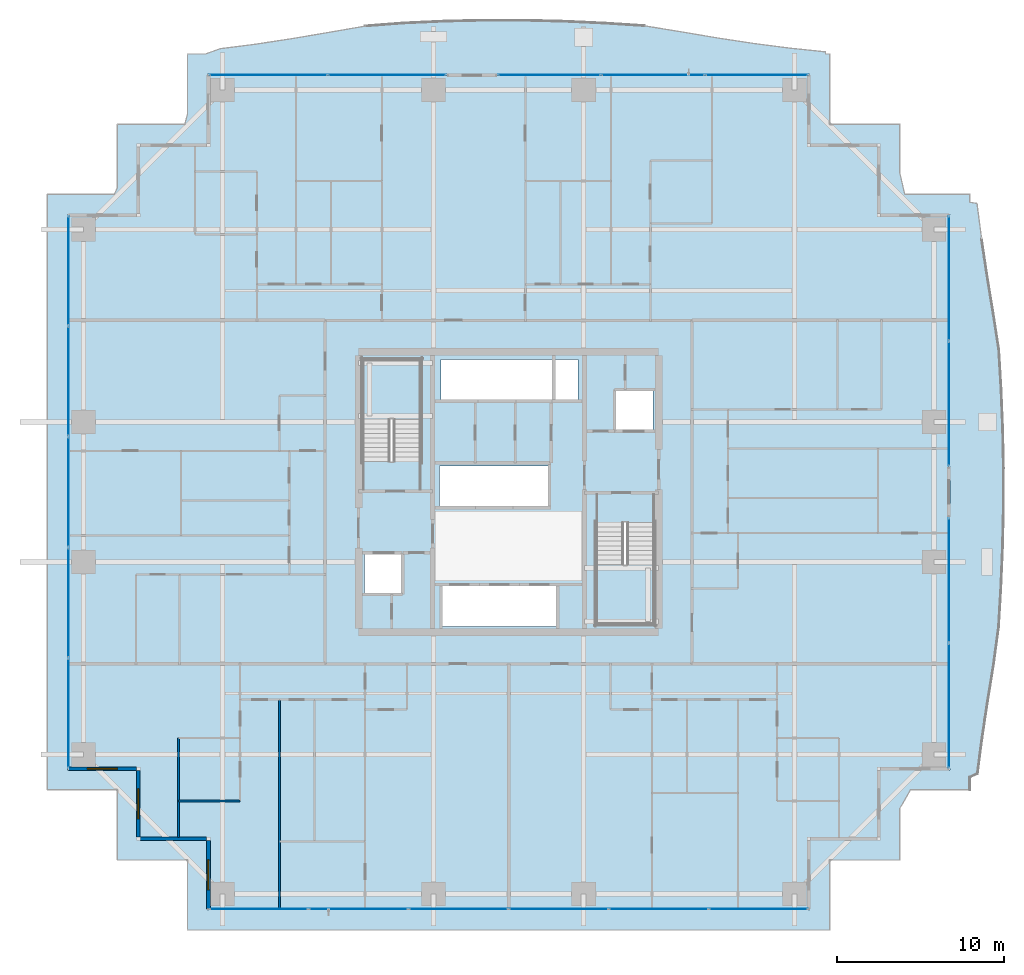
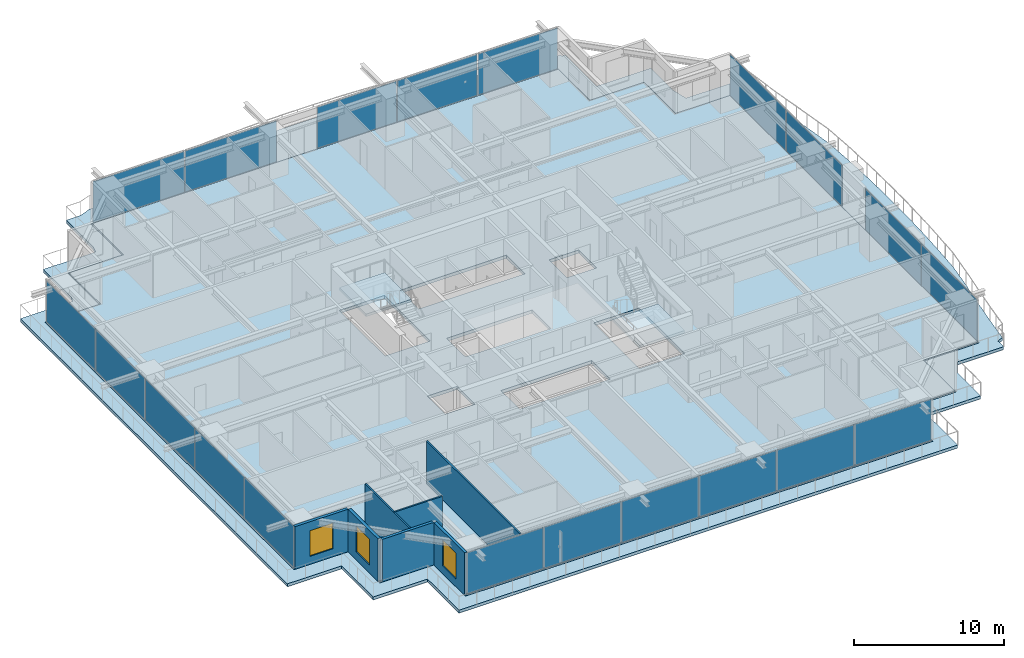
# One storey, part 26 of 39: 20 plates, 7 walls, 4 slabs, 3 windows, 3 openings, 8 elements without a shape of their own.
"""IFC4 building model written with IfcOpenShell, lengths in metres."""

from ifc_helpers import new_model, si_unit, direction, frame, frame_2d, origin, origin_2d, place, context, subcontext, project, spatial, polyline, rectangle, outline, extrude, source, transform, mapped, material, layer, layer_set, type_object, element, fill, aggregate, save


model = new_model("IFC4")

# Units and contexts
model_context = context("Model", 3, precision=1e-05, world=origin(), true_north=direction((0.0, 1.0)))
body_context = subcontext(model_context, "Body", "Model", "MODEL_VIEW")
ifc_project = project(units=[si_unit("LENGTHUNIT", "METRE"), si_unit("AREAUNIT", "SQUARE_METRE"), si_unit("VOLUMEUNIT", "CUBIC_METRE"), si_unit("PLANEANGLEUNIT", "RADIAN"), si_unit("MASSUNIT", "GRAM", prefix="KILO")], contexts=[model_context])

# Site, building, storey
site_placement = place(None, origin())
site = spatial("IfcSite", under=ifc_project, at=site_placement, CompositionType="ELEMENT")
building_placement = place(site_placement, origin())
building = spatial("IfcBuilding", under=site, at=building_placement, Name="Serunith Strait Residences", CompositionType="ELEMENT")
storey_placement = place(building_placement, frame((0.0, 0.0, 97.949951171875)))
storey = spatial("IfcBuildingStorey", under=building, at=storey_placement, Name="L24", CompositionType="ELEMENT", Elevation=97.949951171875)

# Slab
ifc_material_1 = material(Name="Concrete C50/60", Category="concrete")
ifc_layer_1 = layer(ifc_material_1, 0.239990234375, Name="Concrete C50/60")
ifc_layer_set_1 = layer_set([ifc_layer_1], Name="Concrete C50/60")
slab_type_1 = type_object("IfcSlabType", Name="SLB-BALC-240", PredefinedType="FLOOR", material=ifc_layer_set_1)
slab_1_placement = place(storey_placement, frame((0.0, 0.0, -0.2900390625)))
element("IfcSlab", 1, at=slab_1_placement, inside=storey, type_object=slab_type_1, Name="L24 Planted Vertical-Forest Balcony Slab", PredefinedType="FLOOR", context=body_context, shape_type="SweptSolid", body=[
    extrude(outline(polyline([(12.982666015625, 47.260009765625), (13.139892578125, 47.855712890625), (13.139892578125, 51.4599609375), (14.205810546875, 51.4599609375), (15.103515625, 51.78271484375), (17.227783203125, 52.0537109375), (19.371826171875, 52.37939453125), (21.554443359375, 52.75), (23.794677734375, 53.139404296875), (26.148681640625, 53.317138671875), (28.54248046875, 53.42578125), (30.957763671875, 53.480712890625), (33.38037109375, 53.47705078125), (35.79541015625, 53.41650390625), (38.189697265625, 53.305419921875), (40.55322265625, 53.154052734375), (42.808837890625, 52.784912109375), (45.000732421875, 52.415283203125), (47.15234375, 52.087646484375), (49.28173828125, 51.8134765625), (51.40283203125, 51.593017578125), (51.402099609375, 51.4599609375), (51.659912109375, 51.4599609375), (51.659912109375, 47.260009765625), (55.860107421875, 47.260009765625), (55.860107421875, 44.317626953125), (56.150390625, 43.06005859375), (60.06005859375, 43.06005859375), (60.06005859375, 42.573486328125), (60.485107421875, 42.5048828125), (60.76171875, 40.37451171875), (61.085693359375, 38.220703125), (61.444580078125, 36.027587890625), (61.7958984375, 33.773681640625), (61.93505859375, 31.41845703125), (62.03271484375, 29.034912109375), (62.081298828125, 26.633544921875), (62.077880859375, 24.2255859375), (62.02294921875, 21.824462890625), (61.922119140625, 19.44091796875), (61.783935546875, 17.084228515625), (61.47509765625, 14.810791015625), (61.117919921875, 12.60888671875), (60.793212890625, 10.44775390625), (60.5146484375, 8.311767578125), (60.06005859375, 8.1025390625), (60.06005859375, 7.340087890625), (56.489990234375, 7.340087890625), (55.860107421875, 6.23388671875), (55.860107421875, 3.139892578125), (51.659912109375, 3.139892578125), (51.659912109375, -1.06005859375), (13.139892578125, -1.06005859375), (13.139892578125, 3.139892578125), (8.93994140625, 3.139892578125), (8.93994140625, 7.340087890625), (4.739990234375, 7.340087890625), (4.739990234375, 43.06005859375), (8.7587890625, 43.06005859375), (8.93994140625, 43.457763671875), (8.93994140625, 47.260009765625), (12.982666015625, 47.260009765625)]), holes=[polyline([(50.455078125, 0.14501953125), (50.455078125, 4.344970703125), (54.655029296875, 4.344970703125), (54.655029296875, 8.544921875), (58.85498046875, 8.544921875), (58.85498046875, 41.85498046875), (54.655029296875, 41.85498046875), (54.655029296875, 46.054931640625), (50.455078125, 46.054931640625), (50.455078125, 50.2548828125), (14.344970703125, 50.2548828125), (14.344970703125, 46.054931640625), (10.14501953125, 46.054931640625), (10.14501953125, 41.85498046875), (5.945068359375, 41.85498046875), (5.945068359375, 8.544921875), (10.14501953125, 8.544921875), (10.14501953125, 4.344970703125), (14.344970703125, 4.344970703125), (14.344970703125, 0.14501953125), (50.455078125, 0.14501953125)])]), origin(), (0.0, 0.0, 1.0), 0.239990234375),
])

# Stair, slab
stair_type_1 = type_object("IfcStairType", Name="STR-CORE-1", PredefinedType="HALF_TURN_STAIR", material=ifc_material_1)
stair_1_placement = place(storey_placement, origin())
stair_1 = element("IfcStair", 2, at=stair_1_placement, inside=storey, type_object=stair_type_1, Name="L24 Protected Escape Stair ST-1", PredefinedType="HALF_TURN_STAIR")
ifc_layer_2 = layer(ifc_material_1, 0.199951171875, Name="Concrete C50/60")
ifc_layer_set_2 = layer_set([ifc_layer_2], Name="Concrete C50/60")
slab_type_2 = type_object("IfcSlabType", Name="SLB-LAND-200", PredefinedType="LANDING", material=ifc_layer_set_2)
slab_2_placement = place(storey_placement, frame((0.0, 0.0, 1.675048828125)))
slab_2 = element("IfcSlab", 3, at=slab_2_placement, type_object=slab_type_2, Name="ST-1 landing 1", PredefinedType="LANDING", context=body_context, shape_type="SweptSolid", body=[
    extrude(outline(polyline([(27.14990234375, 29.550048828125), (27.14990234375, 33.14990234375), (23.64990234375, 33.14990234375), (23.64990234375, 29.550048828125), (27.14990234375, 29.550048828125)])), origin(), (0.0, 0.0, 1.0), 0.199951171875),
])
aggregate(stair_1, [slab_2])

stair_type_2 = type_object("IfcStairType", Name="STR-CORE-2", PredefinedType="HALF_TURN_STAIR", material=ifc_material_1)
stair_2_placement = place(storey_placement, origin())
stair_2 = element("IfcStair", 4, at=stair_2_placement, inside=storey, type_object=stair_type_2, Name="L24 Protected Escape Stair ST-2", PredefinedType="HALF_TURN_STAIR")
slab_3_placement = place(storey_placement, frame((0.0, 0.0, 1.675048828125)))
slab_3 = element("IfcSlab", 5, at=slab_3_placement, type_object=slab_type_2, Name="ST-2 landing 1", PredefinedType="LANDING", context=body_context, shape_type="SweptSolid", body=[
    extrude(outline(polyline([(37.64990234375, 20.85009765625), (37.64990234375, 17.25), (41.14990234375, 17.25), (41.14990234375, 20.85009765625), (37.64990234375, 20.85009765625)])), origin(), (0.0, 0.0, 1.0), 0.199951171875),
])
aggregate(stair_2, [slab_3])

# Slab
ifc_material_2 = material(Name="Concrete C60/75", Category="concrete")
ifc_layer_3 = layer(ifc_material_2, 0.260009765625, Name="Concrete C60/75")
ifc_layer_set_3 = layer_set([ifc_layer_3], Name="Concrete C60/75")
slab_type_3 = type_object("IfcSlabType", Name="SLB-TWR-260-Z1", PredefinedType="FLOOR", material=ifc_layer_set_3)
slab_4_placement = place(storey_placement, frame((0.0, 0.0, -0.260009765625)))
element("IfcSlab", 6, at=slab_4_placement, inside=storey, type_object=slab_type_3, Name="L24 Structural Floor Plate", PredefinedType="FLOOR", context=body_context, shape_type="SweptSolid", body=[
    extrude(outline(polyline([(14.39990234375, 4.39990234375), (10.199951171875, 4.39990234375), (10.199951171875, 8.60009765625), (6.0, 8.60009765625), (6.0, 41.800048828125), (10.199951171875, 41.800048828125), (10.199951171875, 46.0), (14.39990234375, 46.0), (14.39990234375, 50.199951171875), (50.39990234375, 50.199951171875), (50.39990234375, 46.0), (54.60009765625, 46.0), (54.60009765625, 41.800048828125), (58.800048828125, 41.800048828125), (58.800048828125, 8.60009765625), (54.60009765625, 8.60009765625), (54.60009765625, 4.39990234375), (50.39990234375, 4.39990234375), (50.39990234375, 0.199951171875), (14.39990234375, 0.199951171875), (14.39990234375, 4.39990234375)]), holes=[polyline([(41.14990234375, 17.25), (41.14990234375, 23.3701171875), (37.64990234375, 23.3701171875), (37.64990234375, 17.25), (41.14990234375, 17.25)]), polyline([(41.050048828125, 31.25), (38.75, 31.25), (38.75, 28.85009765625), (41.050048828125, 28.85009765625), (41.050048828125, 31.25)]), polyline([(36.550048828125, 33.14990234375), (28.35009765625, 33.14990234375), (28.35009765625, 30.64990234375), (36.550048828125, 30.64990234375), (36.550048828125, 33.14990234375)]), polyline([(28.35009765625, 19.64990234375), (28.35009765625, 17.14990234375), (35.35009765625, 17.14990234375), (35.35009765625, 19.64990234375), (28.35009765625, 19.64990234375)]), polyline([(34.85009765625, 26.75), (28.25, 26.75), (28.25, 24.25), (34.85009765625, 24.25), (34.85009765625, 26.75)]), polyline([(23.64990234375, 33.14990234375), (23.64990234375, 27.030029296875), (27.14990234375, 27.030029296875), (27.14990234375, 33.14990234375), (23.64990234375, 33.14990234375)]), polyline([(26.050048828125, 21.550048828125), (23.75, 21.550048828125), (23.75, 19.14990234375), (26.050048828125, 19.14990234375), (26.050048828125, 21.550048828125)])]), origin(), (0.0, 0.0, 1.0), 0.260009765625),
])

# Curtain wall, plates
ifc_material_3 = material(Name="Pale-Champagne Anodised Aluminium", Category="aluminium")
ifc_layer_4 = layer(ifc_material_3, 0.199951171875, Name="Pale-Champagne Anodised Aluminium")
ifc_layer_set_4 = layer_set([ifc_layer_4], Name="Pale-Champagne Anodised Aluminium")
curtain_wall_type = type_object("IfcCurtainWallType", Name="CW-SYS1", PredefinedType="NOTDEFINED", material=ifc_layer_set_4)
curtain_wall_1_placement = place(storey_placement, origin())
curtain_wall_1 = element("IfcCurtainWall", 7, at=curtain_wall_1_placement, inside=storey, type_object=curtain_wall_type, Name="L24 S Unitised Fritted Curtain Wall", PredefinedType="NOTDEFINED")
ifc_material_4 = material(Name="Ceramic-Fritted Low-E Double Glazing 28mm", Category="glass")
ifc_layer_5 = layer(ifc_material_4, 0.028076171875, Name="Ceramic-Fritted Low-E Double Glazing 28mm")
ifc_layer_set_5 = layer_set([ifc_layer_5], Name="Ceramic-Fritted Low-E Double Glazing 28mm")
plate_type = type_object("IfcPlateType", Name="CW-SYS1-PNL", PredefinedType="CURTAIN_PANEL", material=ifc_layer_set_5)
shared_shape_1 = source(origin(), body_context, "Body", "SweptSolid", [
    extrude(rectangle(XDim=5.89501953125, YDim=0.028076171875, at=origin_2d()), origin(), (0.0, 0.0, 1.0), 3.35498046875),
])
plate_1_placement = place(storey_placement, frame((17.41748046875, 0.199951171875, 0.06005859375), z_axis=(0.0, 0.0, 1.0), x_axis=(1.0, 0.0, 0.0)))
plate_1 = element("IfcPlate", 8, at=plate_1_placement, type_object=plate_type, Name="CW-1 panel 1.1", PredefinedType="CURTAIN_PANEL", context=body_context, shape_type="MappedRepresentation", body=[
    mapped(shared_shape_1, transform((0.0, 0.0, 0.0), scale=1.0)),
])
plate_2_placement = place(storey_placement, frame((47.382568359375, 0.199951171875, 0.06005859375), z_axis=(0.0, 0.0, 1.0), x_axis=(1.0, 0.0, 0.0)))
plate_2 = element("IfcPlate", 9, at=plate_2_placement, type_object=plate_type, Name="CW-1 panel 6.1", PredefinedType="CURTAIN_PANEL", context=body_context, shape_type="MappedRepresentation", body=[
    mapped(shared_shape_1, transform((0.0, 0.0, 0.0), scale=1.0)),
])
shared_shape_2 = source(origin(), body_context, "Body", "SweptSolid", [
    extrude(rectangle(XDim=5.929931640625, YDim=0.028076171875, at=origin_2d()), origin(), (0.0, 0.0, 1.0), 3.35498046875),
])
plate_3_placement = place(storey_placement, frame((23.39990234375, 0.199951171875, 0.06005859375), z_axis=(0.0, 0.0, 1.0), x_axis=(1.0, 0.0, 0.0)))
plate_3 = element("IfcPlate", 10, at=plate_3_placement, type_object=plate_type, Name="CW-1 panel 2.1", PredefinedType="CURTAIN_PANEL", context=body_context, shape_type="MappedRepresentation", body=[
    mapped(shared_shape_2, transform((0.0, 0.0, 0.0), scale=1.0)),
])
plate_4_placement = place(storey_placement, frame((29.39990234375, 0.199951171875, 0.06005859375), z_axis=(0.0, 0.0, 1.0), x_axis=(1.0, 0.0, 0.0)))
plate_4 = element("IfcPlate", 11, at=plate_4_placement, type_object=plate_type, Name="CW-1 panel 3.1", PredefinedType="CURTAIN_PANEL", context=body_context, shape_type="MappedRepresentation", body=[
    mapped(shared_shape_2, transform((0.0, 0.0, 0.0), scale=1.0)),
])
plate_5_placement = place(storey_placement, frame((35.39990234375, 0.199951171875, 0.06005859375), z_axis=(0.0, 0.0, 1.0), x_axis=(1.0, 0.0, 0.0)))
plate_5 = element("IfcPlate", 12, at=plate_5_placement, type_object=plate_type, Name="CW-1 panel 4.1", PredefinedType="CURTAIN_PANEL", context=body_context, shape_type="MappedRepresentation", body=[
    mapped(shared_shape_2, transform((0.0, 0.0, 0.0), scale=1.0)),
])
plate_6_placement = place(storey_placement, frame((41.39990234375, 0.199951171875, 0.06005859375), z_axis=(0.0, 0.0, 1.0), x_axis=(1.0, 0.0, 0.0)))
plate_6 = element("IfcPlate", 13, at=plate_6_placement, type_object=plate_type, Name="CW-1 panel 5.1", PredefinedType="CURTAIN_PANEL", context=body_context, shape_type="MappedRepresentation", body=[
    mapped(shared_shape_2, transform((0.0, 0.0, 0.0), scale=1.0)),
])
aggregate(curtain_wall_1, [plate_1, plate_3, plate_4, plate_5, plate_6, plate_2])

curtain_wall_2_placement = place(storey_placement, origin())
curtain_wall_2 = element("IfcCurtainWall", 14, at=curtain_wall_2_placement, inside=storey, type_object=curtain_wall_type, Name="L24 E Unitised Fritted Curtain Wall", PredefinedType="NOTDEFINED")
shared_shape_3 = source(origin(), body_context, "Body", "SweptSolid", [
    extrude(rectangle(XDim=7.445068359375, YDim=0.028076171875, at=origin_2d()), origin(), (0.0, 0.0, 1.0), 3.35498046875),
])
plate_7_placement = place(storey_placement, frame((58.800048828125, 12.392578125, 0.06005859375), z_axis=(0.0, 0.0, 1.0), x_axis=(0.0, 1.0, 0.0)))
plate_7 = element("IfcPlate", 15, at=plate_7_placement, type_object=plate_type, Name="CW-1 panel 1.1", PredefinedType="CURTAIN_PANEL", context=body_context, shape_type="MappedRepresentation", body=[
    mapped(shared_shape_3, transform((0.0, 0.0, 0.0), scale=1.0)),
])
plate_8_placement = place(storey_placement, frame((58.800048828125, 19.907470703125, 0.06005859375), z_axis=(0.0, 0.0, 1.0), x_axis=(0.0, 1.0, 0.0)))
plate_8 = element("IfcPlate", 16, at=plate_8_placement, type_object=plate_type, Name="CW-1 panel 2.1", PredefinedType="CURTAIN_PANEL", context=body_context, shape_type="MappedRepresentation", body=[
    mapped(shared_shape_3, transform((0.0, 0.0, 0.0), scale=1.0)),
])
aggregate(curtain_wall_2, [plate_7, plate_8])

curtain_wall_3_placement = place(storey_placement, origin())
curtain_wall_3 = element("IfcCurtainWall", 17, at=curtain_wall_3_placement, inside=storey, type_object=curtain_wall_type, Name="L24 E Unitised Fritted Curtain Wall", PredefinedType="NOTDEFINED")
plate_9_placement = place(storey_placement, frame((58.800048828125, 30.492431640625, 0.06005859375), z_axis=(0.0, 0.0, 1.0), x_axis=(0.0, 1.0, 0.0)))
plate_9 = element("IfcPlate", 18, at=plate_9_placement, type_object=plate_type, Name="CW-1 panel 1.1", PredefinedType="CURTAIN_PANEL", context=body_context, shape_type="MappedRepresentation", body=[
    mapped(shared_shape_3, transform((0.0, 0.0, 0.0), scale=1.0)),
])
plate_10_placement = place(storey_placement, frame((58.800048828125, 38.007568359375, 0.06005859375), z_axis=(0.0, 0.0, 1.0), x_axis=(0.0, 1.0, 0.0)))
plate_10 = element("IfcPlate", 19, at=plate_10_placement, type_object=plate_type, Name="CW-1 panel 2.1", PredefinedType="CURTAIN_PANEL", context=body_context, shape_type="MappedRepresentation", body=[
    mapped(shared_shape_3, transform((0.0, 0.0, 0.0), scale=1.0)),
])
aggregate(curtain_wall_3, [plate_9, plate_10])

curtain_wall_4_placement = place(storey_placement, origin())
curtain_wall_4 = element("IfcCurtainWall", 20, at=curtain_wall_4_placement, inside=storey, type_object=curtain_wall_type, Name="L24 W Unitised Fritted Curtain Wall", PredefinedType="NOTDEFINED")
shared_shape_4 = source(origin(), body_context, "Body", "SweptSolid", [
    extrude(rectangle(XDim=6.534912109375, YDim=0.028076171875, at=origin_2d()), origin(), (0.0, 0.0, 1.0), 3.35498046875),
])
plate_11_placement = place(storey_placement, frame((6.0, 38.46240234375, 0.06005859375), z_axis=(0.0, 0.0, 1.0), x_axis=(0.0, -1.0, 0.0)))
plate_11 = element("IfcPlate", 21, at=plate_11_placement, type_object=plate_type, Name="CW-1 panel 1.1", PredefinedType="CURTAIN_PANEL", context=body_context, shape_type="MappedRepresentation", body=[
    mapped(shared_shape_4, transform((0.0, 0.0, 0.0), scale=1.0)),
])
plate_12_placement = place(storey_placement, frame((6.0, 11.9375, 0.06005859375), z_axis=(0.0, 0.0, 1.0), x_axis=(0.0, -1.0, 0.0)))
plate_12 = element("IfcPlate", 22, at=plate_12_placement, type_object=plate_type, Name="CW-1 panel 5.1", PredefinedType="CURTAIN_PANEL", context=body_context, shape_type="MappedRepresentation", body=[
    mapped(shared_shape_4, transform((0.0, 0.0, 0.0), scale=1.0)),
])
shared_shape_5 = source(origin(), body_context, "Body", "SweptSolid", [
    extrude(rectangle(XDim=6.570068359375, YDim=0.028076171875, at=origin_2d()), origin(), (0.0, 0.0, 1.0), 3.35498046875),
])
plate_13_placement = place(storey_placement, frame((6.0, 31.840087890625, 0.06005859375), z_axis=(0.0, 0.0, 1.0), x_axis=(0.0, -1.0, 0.0)))
plate_13 = element("IfcPlate", 23, at=plate_13_placement, type_object=plate_type, Name="CW-1 panel 2.1", PredefinedType="CURTAIN_PANEL", context=body_context, shape_type="MappedRepresentation", body=[
    mapped(shared_shape_5, transform((0.0, 0.0, 0.0), scale=1.0)),
])
plate_14_placement = place(storey_placement, frame((6.0, 25.199951171875, 0.06005859375), z_axis=(0.0, 0.0, 1.0), x_axis=(0.0, -1.0, 0.0)))
plate_14 = element("IfcPlate", 24, at=plate_14_placement, type_object=plate_type, Name="CW-1 panel 3.1", PredefinedType="CURTAIN_PANEL", context=body_context, shape_type="MappedRepresentation", body=[
    mapped(shared_shape_5, transform((0.0, 0.0, 0.0), scale=1.0)),
])
plate_15_placement = place(storey_placement, frame((6.0, 18.56005859375, 0.06005859375), z_axis=(0.0, 0.0, 1.0), x_axis=(0.0, -1.0, 0.0)))
plate_15 = element("IfcPlate", 25, at=plate_15_placement, type_object=plate_type, Name="CW-1 panel 4.1", PredefinedType="CURTAIN_PANEL", context=body_context, shape_type="MappedRepresentation", body=[
    mapped(shared_shape_5, transform((0.0, 0.0, 0.0), scale=1.0)),
])
aggregate(curtain_wall_4, [plate_11, plate_13, plate_14, plate_15, plate_12])

curtain_wall_5_placement = place(storey_placement, origin())
curtain_wall_5 = element("IfcCurtainWall", 26, at=curtain_wall_5_placement, inside=storey, type_object=curtain_wall_type, Name="L24 N Unitised Fritted Curtain Wall", PredefinedType="NOTDEFINED")
shared_shape_6 = source(origin(), body_context, "Body", "SweptSolid", [
    extrude(rectangle(XDim=7.044921875, YDim=0.028076171875, at=origin_2d()), origin(), (0.0, 0.0, 1.0), 3.35498046875),
])
plate_16_placement = place(storey_placement, frame((25.107421875, 50.199951171875, 0.06005859375), z_axis=(0.0, 0.0, 1.0), x_axis=(-1.0, 0.0, 0.0)))
plate_16 = element("IfcPlate", 27, at=plate_16_placement, type_object=plate_type, Name="CW-1 panel 1.1", PredefinedType="CURTAIN_PANEL", context=body_context, shape_type="MappedRepresentation", body=[
    mapped(shared_shape_6, transform((0.0, 0.0, 0.0), scale=1.0)),
])
plate_17_placement = place(storey_placement, frame((17.992431640625, 50.199951171875, 0.06005859375), z_axis=(0.0, 0.0, 1.0), x_axis=(-1.0, 0.0, 0.0)))
plate_17 = element("IfcPlate", 28, at=plate_17_placement, type_object=plate_type, Name="CW-1 panel 2.1", PredefinedType="CURTAIN_PANEL", context=body_context, shape_type="MappedRepresentation", body=[
    mapped(shared_shape_6, transform((0.0, 0.0, 0.0), scale=1.0)),
])
aggregate(curtain_wall_5, [plate_16, plate_17])

curtain_wall_6_placement = place(storey_placement, origin())
curtain_wall_6 = element("IfcCurtainWall", 29, at=curtain_wall_6_placement, inside=storey, type_object=curtain_wall_type, Name="L24 N Unitised Fritted Curtain Wall", PredefinedType="NOTDEFINED")
shared_shape_7 = source(origin(), body_context, "Body", "SweptSolid", [
    extrude(rectangle(XDim=6.12841796875, YDim=0.028076171875, at=origin_2d()), origin(), (0.0, 0.0, 1.0), 3.35498046875),
])
plate_18_placement = place(storey_placement, frame((47.265869140625, 50.199951171875, 0.06005859375), z_axis=(0.0, 0.0, 1.0), x_axis=(-1.0, 0.0, 0.0)))
plate_18 = element("IfcPlate", 30, at=plate_18_placement, type_object=plate_type, Name="CW-1 panel 1.1", PredefinedType="CURTAIN_PANEL", context=body_context, shape_type="MappedRepresentation", body=[
    mapped(shared_shape_7, transform((0.0, 0.0, 0.0), scale=1.0)),
])
plate_19_placement = place(storey_placement, frame((34.834228515625, 50.199951171875, 0.06005859375), z_axis=(0.0, 0.0, 1.0), x_axis=(-1.0, 0.0, 0.0)))
plate_19 = element("IfcPlate", 31, at=plate_19_placement, type_object=plate_type, Name="CW-1 panel 3.1", PredefinedType="CURTAIN_PANEL", context=body_context, shape_type="MappedRepresentation", body=[
    mapped(shared_shape_7, transform((0.0, 0.0, 0.0), scale=1.0)),
])
shared_shape_8 = source(origin(), body_context, "Body", "SweptSolid", [
    extrude(rectangle(XDim=6.163330078125, YDim=0.028076171875, at=origin_2d()), origin(), (0.0, 0.0, 1.0), 3.35498046875),
])
plate_20_placement = place(storey_placement, frame((41.050048828125, 50.199951171875, 0.06005859375), z_axis=(0.0, 0.0, 1.0), x_axis=(-1.0, 0.0, 0.0)))
plate_20 = element("IfcPlate", 32, at=plate_20_placement, type_object=plate_type, Name="CW-1 panel 2.1", PredefinedType="CURTAIN_PANEL", context=body_context, shape_type="MappedRepresentation", body=[
    mapped(shared_shape_8, transform((0.0, 0.0, 0.0), scale=1.0)),
])
aggregate(curtain_wall_6, [plate_18, plate_20, plate_19])

# Wall, opening, window
ifc_material_5 = material(Name="Pale-Champagne Aluminium Insulated Panel", Category="aluminium")
ifc_layer_6 = layer(ifc_material_5, 0.219970703125, Name="Pale-Champagne Aluminium Insulated Panel")
ifc_layer_set_6 = layer_set([ifc_layer_6], Name="Pale-Champagne Aluminium Insulated Panel")
wall_type_1 = type_object("IfcWallType", Name="EW-ALUM-220", PredefinedType="ELEMENTEDWALL", material=ifc_layer_set_6)
wall_1_placement = place(storey_placement, frame((6.0, 8.60009765625, 0.0), z_axis=(0.0, 0.0, 1.0), x_axis=(1.0, 0.0, 0.0)))
wall_1 = element("IfcWall", 33, at=wall_1_placement, inside=storey, type_object=wall_type_1, Name="L24 Girih Serrated Corner Wall 17", PredefinedType="ELEMENTEDWALL", context=body_context, shape_type="SweptSolid", body=[
    extrude(rectangle(XDim=4.090087890625, YDim=0.219970703125, at=frame_2d((2.044921875, 0.0))), origin(), (0.0, 0.0, 1.0), 3.47509765625),
])
opening_1_placement = place(wall_1_placement, frame((1.14501953125, 0.0, 0.64990234375)))
opening_1 = element("IfcOpeningElement", 34, at=opening_1_placement, cuts=wall_1, Name="Opening W-01", PredefinedType="OPENING", context=body_context, shape_type="SweptSolid", body=[
    extrude(rectangle(XDim=1.800048828125, YDim=2.10009765625, at=frame_2d((0.89990234375, 1.050048828125))), frame((0.0, 0.1201171875, 0.0), z_axis=(0.0, -1.0, 0.0), x_axis=(1.0, 0.0, 0.0)), (0.0, 0.0, 1.0), 0.239990234375),
])
ifc_material_6 = material(Name="Ceramic-Fritted Operable Aluminium Window Glass", Category="aluminium")
window_type = type_object("IfcWindowType", Name="WIN-C1", PartitioningType="DOUBLE_PANEL_VERTICAL", PredefinedType="WINDOW", material=ifc_material_6)
shared_shape_9 = source(origin(), body_context, "Body", "SweptSolid", [
    extrude(rectangle(XDim=1.800048828125, YDim=2.10009765625, at=frame_2d((0.89990234375, 1.050048828125))), frame((0.0, 0.030029296875, 0.0), z_axis=(0.0, -1.0, 0.0), x_axis=(1.0, 0.0, 0.0)), (0.0, 0.0, 1.0), 0.06005859375),
])
window_1_placement = place(opening_1_placement, origin())
window_1 = element("IfcWindow", 35, at=window_1_placement, inside=storey, type_object=window_type, Name="L24 Corner Operable Fritted Window 17", OverallHeight=2.10009765625, OverallWidth=1.800048828125, PartitioningType="SINGLE_PANEL", PredefinedType="WINDOW", context=body_context, shape_type="MappedRepresentation", body=[
    mapped(shared_shape_9, transform((0.0, 0.0, 0.0), scale=1.0)),
])
fill(opening_1, window_1)

wall_2_placement = place(storey_placement, frame((10.199951171875, 8.489990234375, 0.0), z_axis=(0.0, 0.0, 1.0), x_axis=(0.0, -1.0, 0.0)))
wall_2 = element("IfcWall", 36, at=wall_2_placement, inside=storey, type_object=wall_type_1, Name="L24 Girih Serrated Corner Wall 18", PredefinedType="ELEMENTEDWALL", context=body_context, shape_type="SweptSolid", body=[
    extrude(rectangle(XDim=3.97998046875, YDim=0.219970703125, at=frame_2d((1.989990234375, 0.0))), origin(), (0.0, 0.0, 1.0), 3.47509765625),
])
opening_2_placement = place(wall_2_placement, frame((1.090087890625, 0.0, 0.64990234375)))
opening_2 = element("IfcOpeningElement", 37, at=opening_2_placement, cuts=wall_2, Name="Opening W-01", PredefinedType="OPENING", context=body_context, shape_type="SweptSolid", body=[
    extrude(rectangle(XDim=1.800048828125, YDim=2.10009765625, at=frame_2d((0.89990234375, 1.050048828125))), frame((0.0, 0.1201171875, 0.0), z_axis=(0.0, -1.0, 0.0), x_axis=(1.0, 0.0, 0.0)), (0.0, 0.0, 1.0), 0.239990234375),
])
window_2_placement = place(opening_2_placement, origin())
window_2 = element("IfcWindow", 38, at=window_2_placement, inside=storey, type_object=window_type, Name="L24 Corner Operable Fritted Window 18", OverallHeight=2.10009765625, OverallWidth=1.800048828125, PartitioningType="SINGLE_PANEL", PredefinedType="WINDOW", context=body_context, shape_type="MappedRepresentation", body=[
    mapped(shared_shape_9, transform((0.0, 0.0, 0.0), scale=1.0)),
])
fill(opening_2, window_2)

# Wall
wall_3_placement = place(storey_placement, frame((10.31005859375, 4.39990234375, 0.0), z_axis=(0.0, 0.0, 1.0), x_axis=(1.0, 0.0, 0.0)))
element("IfcWall", 39, at=wall_3_placement, inside=storey, type_object=wall_type_1, Name="L24 Girih Serrated Corner Wall 19", PredefinedType="ELEMENTEDWALL", context=body_context, shape_type="SweptSolid", body=[
    extrude(rectangle(XDim=3.97998046875, YDim=0.219970703125, at=frame_2d((1.989990234375, 0.0))), origin(), (0.0, 0.0, 1.0), 3.47509765625),
])

# Wall, opening, window
wall_4_placement = place(storey_placement, frame((14.39990234375, 4.2900390625, 0.0), z_axis=(0.0, 0.0, 1.0), x_axis=(0.0, -1.0, 0.0)))
wall_4 = element("IfcWall", 40, at=wall_4_placement, inside=storey, type_object=wall_type_1, Name="L24 Girih Serrated Corner Wall 20", PredefinedType="ELEMENTEDWALL", context=body_context, shape_type="SweptSolid", body=[
    extrude(rectangle(XDim=4.090087890625, YDim=0.219970703125, at=frame_2d((2.044921875, 0.0))), origin(), (0.0, 0.0, 1.0), 3.47509765625),
])
opening_3_placement = place(wall_4_placement, frame((1.14501953125, 0.0, 0.64990234375)))
opening_3 = element("IfcOpeningElement", 41, at=opening_3_placement, cuts=wall_4, Name="Opening W-01", PredefinedType="OPENING", context=body_context, shape_type="SweptSolid", body=[
    extrude(rectangle(XDim=1.800048828125, YDim=2.10009765625, at=frame_2d((0.89990234375, 1.050048828125))), frame((0.0, 0.1201171875, 0.0), z_axis=(0.0, -1.0, 0.0), x_axis=(1.0, 0.0, 0.0)), (0.0, 0.0, 1.0), 0.239990234375),
])
window_3_placement = place(opening_3_placement, origin())
window_3 = element("IfcWindow", 42, at=window_3_placement, inside=storey, type_object=window_type, Name="L24 Corner Operable Fritted Window 20", OverallHeight=2.10009765625, OverallWidth=1.800048828125, PartitioningType="SINGLE_PANEL", PredefinedType="WINDOW", context=body_context, shape_type="MappedRepresentation", body=[
    mapped(shared_shape_9, transform((0.0, 0.0, 0.0), scale=1.0)),
])
fill(opening_3, window_3)

# Walls
ifc_material_7 = material(Name="Lightweight steel-stud gypsum partition", Category="steel")
ifc_layer_7 = layer(ifc_material_7, 0.1201171875, Name="Lightweight steel-stud gypsum partition")
ifc_layer_set_7 = layer_set([ifc_layer_7], Name="Lightweight steel-stud gypsum partition")
wall_type_2 = type_object("IfcWallType", Name="IW-PART-120", PredefinedType="PARTITIONING", material=ifc_layer_set_7)
wall_5_placement = place(storey_placement, frame((18.64990234375, 0.294921875, 0.0), z_axis=(0.0, 0.0, 1.0), x_axis=(0.0, 1.0, 0.0)))
element("IfcWall", 43, at=wall_5_placement, inside=storey, type_object=wall_type_2, Name="L24 Partition Wall 032", PredefinedType="PARTITIONING", context=body_context, shape_type="SweptSolid", body=[
    extrude(rectangle(XDim=12.455078125, YDim=0.1201171875, at=frame_2d((6.2275390625, 0.0))), origin(), (0.0, 0.0, 1.0), 3.489990234375),
])
wall_6_placement = place(storey_placement, frame((12.60009765625, 6.672119140625, 0.0), z_axis=(0.0, 0.0, 1.0), x_axis=(1.0, 0.0, 0.0)))
element("IfcWall", 44, at=wall_6_placement, inside=storey, type_object=wall_type_2, Name="L24 Partition Wall 037", PredefinedType="PARTITIONING", context=body_context, shape_type="SweptSolid", body=[
    extrude(rectangle(XDim=3.699951171875, YDim=0.1201171875, at=frame_2d((1.85009765625, 0.0))), origin(), (0.0, 0.0, 1.0), 3.489990234375),
])
wall_7_placement = place(storey_placement, frame((12.60009765625, 4.4951171875, 0.0), z_axis=(0.0, 0.0, 1.0), x_axis=(0.0, 1.0, 0.0)))
element("IfcWall", 45, at=wall_7_placement, inside=storey, type_object=wall_type_2, Name="L24 Partition Wall 038", PredefinedType="PARTITIONING", context=body_context, shape_type="SweptSolid", body=[
    extrude(rectangle(XDim=5.9609375, YDim=0.1201171875, at=frame_2d((2.98046875, 0.0))), origin(), (0.0, 0.0, 1.0), 3.489990234375),
])

save(model, "model.ifc")
